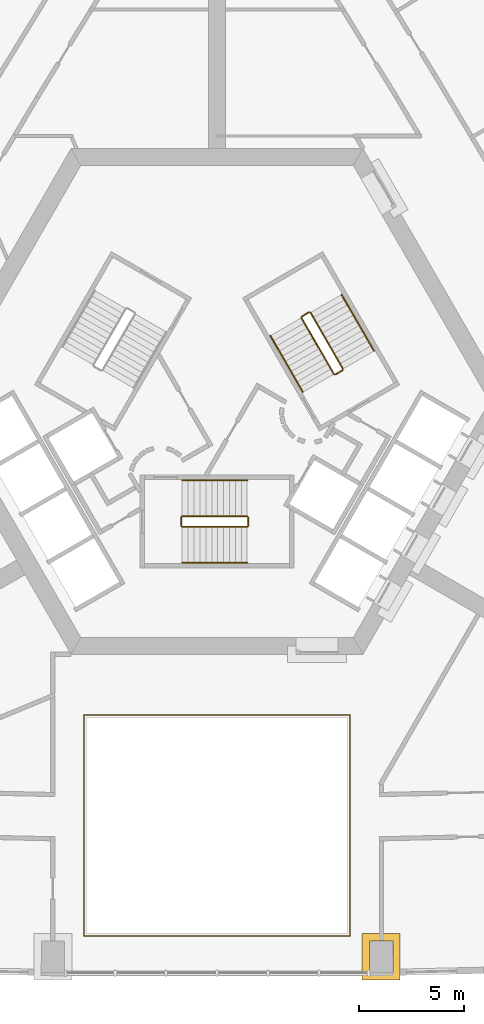
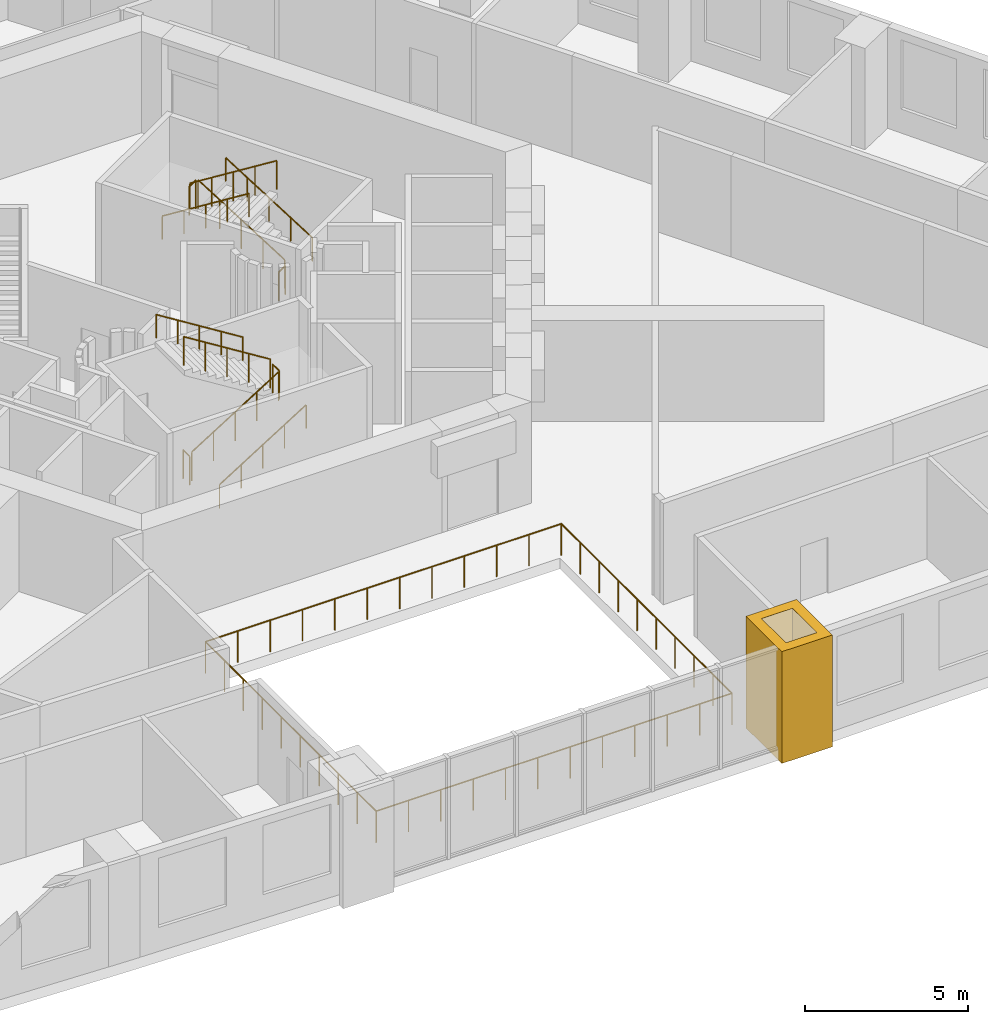
# One storey, part 13 of 14: 13 railings, 1 covering.
"""IFC4 building model written with IfcOpenShell, lengths in metres."""

from ifc_helpers import new_model, si_unit, direction, frame, origin, origin_2d, place, context, subcontext, project, spatial, polyline, circle, outline, extrude, material, type_object, element, save


model = new_model("IFC4")

# Units and contexts
model_context = context("Model", 3, precision=1e-05, world=origin(), true_north=direction((0.0, 1.0)))
body_context = subcontext(model_context, "Body", "Model", "MODEL_VIEW")
ifc_project = project(units=[si_unit("LENGTHUNIT", "METRE"), si_unit("AREAUNIT", "SQUARE_METRE"), si_unit("VOLUMEUNIT", "CUBIC_METRE"), si_unit("PLANEANGLEUNIT", "RADIAN"), si_unit("MASSUNIT", "GRAM", prefix="KILO")], contexts=[model_context])

# Site, building, storey
site_placement = place(None, origin())
site = spatial("IfcSite", under=ifc_project, at=site_placement, CompositionType="ELEMENT")
building_placement = place(site_placement, origin())
building = spatial("IfcBuilding", under=site, at=building_placement, Name="Entoto Arch Interchange Tower", CompositionType="ELEMENT")
storey_placement = place(building_placement, frame((0.0, 0.0, 159.199951171875)))
storey = spatial("IfcBuildingStorey", under=building, at=storey_placement, Name="L35", CompositionType="ELEMENT", Elevation=159.199951171875)

# Railing
ifc_material_1 = material(Name="Stainless steel 1.4301", Category="steel")
railing_type_1 = type_object("IfcRailingType", Name="ATRIUM GUARD 1200 STEEL AND GLASS", PredefinedType="GUARDRAIL", material=ifc_material_1)
railing_1_placement = place(storey_placement, frame((6.320068359375, -22.876953125, 0.0)))
element("IfcRailing", 1, at=railing_1_placement, inside=storey, type_object=railing_type_1, Name="Atrium guard L35", PredefinedType="GUARDRAIL", context=body_context, shape_type="SweptSolid", body=[
    extrude(circle(Radius=0.02392578125, at=origin_2d()), frame((0.0, 0.0, 1.17578125), z_axis=(-1.0, 0.0, 0.0), x_axis=(0.0, -1.0, 0.0)), (0.0, 0.0, 1.0), 12.64013671875),
    extrude(circle(Radius=0.02392578125, at=origin_2d()), frame((-12.64013671875, 0.0, 1.17578125), z_axis=(0.0, 1.0, 0.0), x_axis=(-1.0, 0.0, 0.0)), (0.0, 0.0, 1.0), 10.4970703125),
    extrude(circle(Radius=0.02392578125, at=origin_2d()), frame((-12.64013671875, 10.4970703125, 1.17578125), z_axis=(1.0, 0.0, 0.0), x_axis=(0.0, 1.0, 0.0)), (0.0, 0.0, 1.0), 12.64013671875),
    extrude(circle(Radius=0.02392578125, at=origin_2d()), frame((0.0, 10.4970703125, 1.17578125), z_axis=(0.0, -1.0, 0.0), x_axis=(1.0, 0.0, 0.0)), (0.0, 0.0, 1.0), 10.4970703125),
    extrude(circle(Radius=0.02099609375, at=origin_2d()), origin(), (0.0, 0.0, 1.0), 1.15185546875),
    extrude(circle(Radius=0.02099609375, at=origin_2d()), frame((-1.149169921875, 0.0, 0.0)), (0.0, 0.0, 1.0), 1.15185546875),
    extrude(circle(Radius=0.02099609375, at=origin_2d()), frame((-2.298095703125, 0.0, 0.0)), (0.0, 0.0, 1.0), 1.15185546875),
    extrude(circle(Radius=0.02099609375, at=origin_2d()), frame((-3.447265625, 0.0, 0.0)), (0.0, 0.0, 1.0), 1.15185546875),
    extrude(circle(Radius=0.02099609375, at=origin_2d()), frame((-4.596435546875, 0.0, 0.0)), (0.0, 0.0, 1.0), 1.15185546875),
    extrude(circle(Radius=0.02099609375, at=origin_2d()), frame((-5.74560546875, 0.0, 0.0)), (0.0, 0.0, 1.0), 1.15185546875),
    extrude(circle(Radius=0.02099609375, at=origin_2d()), frame((-6.89453125, 0.0, 0.0)), (0.0, 0.0, 1.0), 1.15185546875),
    extrude(circle(Radius=0.02099609375, at=origin_2d()), frame((-8.043701171875, 0.0, 0.0)), (0.0, 0.0, 1.0), 1.15185546875),
    extrude(circle(Radius=0.02099609375, at=origin_2d()), frame((-9.19287109375, 0.0, 0.0)), (0.0, 0.0, 1.0), 1.15185546875),
    extrude(circle(Radius=0.02099609375, at=origin_2d()), frame((-10.342041015625, 0.0, 0.0)), (0.0, 0.0, 1.0), 1.15185546875),
    extrude(circle(Radius=0.02099609375, at=origin_2d()), frame((-11.490966796875, 0.0, 0.0)), (0.0, 0.0, 1.0), 1.15185546875),
    extrude(circle(Radius=0.02099609375, at=origin_2d()), frame((-12.64013671875, 0.0, 0.0)), (0.0, 0.0, 1.0), 1.15185546875),
    extrude(circle(Radius=0.02099609375, at=origin_2d()), frame((-12.64013671875, 1.166259765625, 0.0)), (0.0, 0.0, 1.0), 1.15185546875),
    extrude(circle(Radius=0.02099609375, at=origin_2d()), frame((-12.64013671875, 2.332763671875, 0.0)), (0.0, 0.0, 1.0), 1.15185546875),
    extrude(circle(Radius=0.02099609375, at=origin_2d()), frame((-12.64013671875, 3.4990234375, 0.0)), (0.0, 0.0, 1.0), 1.15185546875),
    extrude(circle(Radius=0.02099609375, at=origin_2d()), frame((-12.64013671875, 4.665283203125, 0.0)), (0.0, 0.0, 1.0), 1.15185546875),
    extrude(circle(Radius=0.02099609375, at=origin_2d()), frame((-12.64013671875, 5.831787109375, 0.0)), (0.0, 0.0, 1.0), 1.15185546875),
    extrude(circle(Radius=0.02099609375, at=origin_2d()), frame((-12.64013671875, 6.998046875, 0.0)), (0.0, 0.0, 1.0), 1.15185546875),
    extrude(circle(Radius=0.02099609375, at=origin_2d()), frame((-12.64013671875, 8.164306640625, 0.0)), (0.0, 0.0, 1.0), 1.15185546875),
    extrude(circle(Radius=0.02099609375, at=origin_2d()), frame((-12.64013671875, 9.330810546875, 0.0)), (0.0, 0.0, 1.0), 1.15185546875),
    extrude(circle(Radius=0.02099609375, at=origin_2d()), frame((-12.64013671875, 10.4970703125, 0.0)), (0.0, 0.0, 1.0), 1.15185546875),
    extrude(circle(Radius=0.02099609375, at=origin_2d()), frame((-11.490966796875, 10.4970703125, 0.0)), (0.0, 0.0, 1.0), 1.15185546875),
    extrude(circle(Radius=0.02099609375, at=origin_2d()), frame((-10.342041015625, 10.4970703125, 0.0)), (0.0, 0.0, 1.0), 1.15185546875),
    extrude(circle(Radius=0.02099609375, at=origin_2d()), frame((-9.19287109375, 10.4970703125, 0.0)), (0.0, 0.0, 1.0), 1.15185546875),
    extrude(circle(Radius=0.02099609375, at=origin_2d()), frame((-8.043701171875, 10.4970703125, 0.0)), (0.0, 0.0, 1.0), 1.15185546875),
    extrude(circle(Radius=0.02099609375, at=origin_2d()), frame((-6.89453125, 10.4970703125, 0.0)), (0.0, 0.0, 1.0), 1.15185546875),
    extrude(circle(Radius=0.02099609375, at=origin_2d()), frame((-5.74560546875, 10.4970703125, 0.0)), (0.0, 0.0, 1.0), 1.15185546875),
    extrude(circle(Radius=0.02099609375, at=origin_2d()), frame((-4.596435546875, 10.4970703125, 0.0)), (0.0, 0.0, 1.0), 1.15185546875),
    extrude(circle(Radius=0.02099609375, at=origin_2d()), frame((-3.447265625, 10.4970703125, 0.0)), (0.0, 0.0, 1.0), 1.15185546875),
    extrude(circle(Radius=0.02099609375, at=origin_2d()), frame((-2.298095703125, 10.4970703125, 0.0)), (0.0, 0.0, 1.0), 1.15185546875),
    extrude(circle(Radius=0.02099609375, at=origin_2d()), frame((-1.149169921875, 10.4970703125, 0.0)), (0.0, 0.0, 1.0), 1.15185546875),
    extrude(circle(Radius=0.02099609375, at=origin_2d()), frame((0.0, 10.4970703125, 0.0)), (0.0, 0.0, 1.0), 1.15185546875),
    extrude(circle(Radius=0.02099609375, at=origin_2d()), frame((0.0, 9.330810546875, 0.0)), (0.0, 0.0, 1.0), 1.15185546875),
    extrude(circle(Radius=0.02099609375, at=origin_2d()), frame((0.0, 8.164306640625, 0.0)), (0.0, 0.0, 1.0), 1.15185546875),
    extrude(circle(Radius=0.02099609375, at=origin_2d()), frame((0.0, 6.998046875, 0.0)), (0.0, 0.0, 1.0), 1.15185546875),
    extrude(circle(Radius=0.02099609375, at=origin_2d()), frame((0.0, 5.831787109375, 0.0)), (0.0, 0.0, 1.0), 1.15185546875),
    extrude(circle(Radius=0.02099609375, at=origin_2d()), frame((0.0, 4.665283203125, 0.0)), (0.0, 0.0, 1.0), 1.15185546875),
    extrude(circle(Radius=0.02099609375, at=origin_2d()), frame((0.0, 3.4990234375, 0.0)), (0.0, 0.0, 1.0), 1.15185546875),
    extrude(circle(Radius=0.02099609375, at=origin_2d()), frame((0.0, 2.332763671875, 0.0)), (0.0, 0.0, 1.0), 1.15185546875),
    extrude(circle(Radius=0.02099609375, at=origin_2d()), frame((0.0, 1.166259765625, 0.0)), (0.0, 0.0, 1.0), 1.15185546875),
])

# Covering
ifc_material_2 = material(Name="Board-marked precast concrete C50/60", Category="concrete")
covering_type = type_object("IfcCoveringType", Name="PRECAST FRAME COURSE", PredefinedType="CLADDING", material=ifc_material_2)
covering_placement = place(storey_placement, frame((0.0, 0.0, -0.39990234375)))
element("IfcCovering", 2, at=covering_placement, inside=storey, type_object=covering_type, Name="Gate pier L35", PredefinedType="CLADDING", context=body_context, shape_type="SweptSolid", body=[
    extrude(outline(polyline([(6.888916015625, -22.757080078125), (8.68896484375, -22.757080078125), (8.68896484375, -24.95703125), (6.888916015625, -24.95703125), (6.888916015625, -22.757080078125)]), holes=[polyline([(7.239013671875, -23.10693359375), (7.239013671875, -24.60693359375), (8.339111328125, -24.60693359375), (8.339111328125, -23.10693359375), (7.239013671875, -23.10693359375)])]), origin(), (0.0, 0.0, 1.0), 4.199951171875),
])

# Railings
railing_type_2 = type_object("IfcRailingType", Name="STAIR GUARD 1100 STEEL", PredefinedType="GUARDRAIL", material=ifc_material_1)
railing_2_placement = place(storey_placement, frame((-1.64990234375, -3.449951171875, 0.175048828125)))
element("IfcRailing", 3, at=railing_2_placement, inside=storey, type_object=railing_type_2, Name="L35 ST-S stair guard 1", PredefinedType="GUARDRAIL", context=body_context, shape_type="SweptSolid", body=[
    extrude(circle(Radius=0.02392578125, at=origin_2d()), frame((0.0, 0.0, 1.076171875), z_axis=(0.847979421464, 0.0, 0.530029150871), x_axis=(0.0, 1.0, 0.0)), (0.0, 0.0, 1.0), 3.632080078125),
    extrude(circle(Radius=0.02099609375, at=origin_2d()), origin(), (0.0, 0.0, 1.0), 1.052001953125),
    extrude(circle(Radius=0.02099609375, at=origin_2d()), frame((0.77001953125, 0.0, 0.481201171875)), (0.0, 0.0, 1.0), 1.052001953125),
    extrude(circle(Radius=0.02099609375, at=origin_2d()), frame((1.5400390625, 0.0, 0.96240234375)), (0.0, 0.0, 1.0), 1.052001953125),
    extrude(circle(Radius=0.02099609375, at=origin_2d()), frame((2.309814453125, 0.0, 1.44384765625)), (0.0, 0.0, 1.0), 1.052001953125),
    extrude(circle(Radius=0.02099609375, at=origin_2d()), frame((3.079833984375, 0.0, 1.925048828125)), (0.0, 0.0, 1.0), 1.052001953125),
])
railing_3_placement = place(storey_placement, frame((1.47998046875, -3.39990234375, 2.10009765625)))
element("IfcRailing", 4, at=railing_3_placement, inside=storey, type_object=railing_type_2, Name="L35 ST-S stair guard 2", PredefinedType="GUARDRAIL", context=body_context, shape_type="SweptSolid", body=[
    extrude(circle(Radius=0.02392578125, at=origin_2d()), frame((0.0, 0.0, 1.076171875), z_axis=(0.0, 1.0, 0.0), x_axis=(-1.0, 0.0, 0.0)), (0.0, 0.0, 1.0), 0.39990234375),
    extrude(circle(Radius=0.02099609375, at=origin_2d()), origin(), (0.0, 0.0, 1.0), 1.052001953125),
    extrude(circle(Radius=0.02099609375, at=origin_2d()), frame((0.0, 0.39990234375, 0.0)), (0.0, 0.0, 1.0), 1.052001953125),
])
railing_4_placement = place(storey_placement, frame((1.429931640625, -2.949951171875, 2.275146484375)))
element("IfcRailing", 5, at=railing_4_placement, inside=storey, type_object=railing_type_2, Name="L35 ST-S stair guard 3", PredefinedType="GUARDRAIL", context=body_context, shape_type="SweptSolid", body=[
    extrude(circle(Radius=0.02392578125, at=origin_2d()), frame((0.0, 0.0, 1.076171875), z_axis=(-0.848009633417, 0.0, 0.529980812513), x_axis=(0.0, -1.0, 0.0)), (0.0, 0.0, 1.0), 3.6318359375),
    extrude(circle(Radius=0.02099609375, at=origin_2d()), origin(), (0.0, 0.0, 1.0), 1.052001953125),
    extrude(circle(Radius=0.02099609375, at=origin_2d()), frame((-0.77001953125, 0.0, 0.481201171875)), (0.0, 0.0, 1.0), 1.052001953125),
    extrude(circle(Radius=0.02099609375, at=origin_2d()), frame((-1.5400390625, 0.0, 0.96240234375)), (0.0, 0.0, 1.0), 1.052001953125),
    extrude(circle(Radius=0.02099609375, at=origin_2d()), frame((-2.309814453125, 0.0, 1.443603515625)), (0.0, 0.0, 1.0), 1.052001953125),
    extrude(circle(Radius=0.02099609375, at=origin_2d()), frame((-3.079833984375, 0.0, 1.9248046875)), (0.0, 0.0, 1.0), 1.052001953125),
])
railing_5_placement = place(storey_placement, frame((-1.699951171875, -3.39990234375, 0.0)))
element("IfcRailing", 6, at=railing_5_placement, inside=storey, type_object=railing_type_2, Name="L35 ST-S stair guard 4", PredefinedType="GUARDRAIL", context=body_context, shape_type="SweptSolid", body=[
    extrude(circle(Radius=0.02392578125, at=origin_2d()), frame((0.0, 0.0, 1.076171875), z_axis=(0.0, 1.0, 0.0), x_axis=(-1.0, 0.0, 0.0)), (0.0, 0.0, 1.0), 0.39990234375),
    extrude(circle(Radius=0.02099609375, at=origin_2d()), origin(), (0.0, 0.0, 1.0), 1.052001953125),
    extrude(circle(Radius=0.02099609375, at=origin_2d()), frame((0.0, 0.39990234375, 0.0)), (0.0, 0.0, 1.0), 1.052001953125),
])
railing_6_placement = place(storey_placement, frame((5.977783203125, 4.046142578125, 0.175048828125)))
element("IfcRailing", 7, at=railing_6_placement, inside=storey, type_object=railing_type_2, Name="L35 ST-NE stair guard 1", PredefinedType="GUARDRAIL", context=body_context, shape_type="SweptSolid", body=[
    extrude(circle(Radius=0.02392578125, at=origin_2d()), frame((0.0, 0.0, 1.076171875), z_axis=(-0.424015404183, 0.734364028329, 0.530019255228), x_axis=(-0.866010015463, -0.500026652407, 0.0)), (0.0, 0.0, 1.0), 3.632080078125),
    extrude(circle(Radius=0.02099609375, at=origin_2d()), origin(), (0.0, 0.0, 1.0), 1.052001953125),
    extrude(circle(Radius=0.02099609375, at=origin_2d()), frame((-0.385009765625, 0.666748046875, 0.481201171875)), (0.0, 0.0, 1.0), 1.052001953125),
    extrude(circle(Radius=0.02099609375, at=origin_2d()), frame((-0.77001953125, 1.33349609375, 0.96240234375)), (0.0, 0.0, 1.0), 1.052001953125),
    extrude(circle(Radius=0.02099609375, at=origin_2d()), frame((-1.155029296875, 2.00048828125, 1.44384765625)), (0.0, 0.0, 1.0), 1.052001953125),
    extrude(circle(Radius=0.02099609375, at=origin_2d()), frame((-1.5400390625, 2.667236328125, 1.925048828125)), (0.0, 0.0, 1.0), 1.052001953125),
])
railing_7_placement = place(storey_placement, frame((4.36962890625, 6.731689453125, 2.10009765625)))
element("IfcRailing", 8, at=railing_7_placement, inside=storey, type_object=railing_type_2, Name="L35 ST-NE stair guard 2", PredefinedType="GUARDRAIL", context=body_context, shape_type="SweptSolid", body=[
    extrude(circle(Radius=0.02392578125, at=origin_2d()), frame((0.0, 0.0, 1.076171875), z_axis=(-0.866094119867, -0.499880961361, 0.0), x_axis=(0.499880961361, -0.866094119867, 0.0)), (0.0, 0.0, 1.0), 0.39990234375),
    extrude(circle(Radius=0.02099609375, at=origin_2d()), origin(), (0.0, 0.0, 1.0), 1.052001953125),
    extrude(circle(Radius=0.02099609375, at=origin_2d()), frame((-0.346435546875, -0.199951171875, 0.0)), (0.0, 0.0, 1.0), 1.052001953125),
])
railing_8_placement = place(storey_placement, frame((4.0048828125, 6.46337890625, 2.275146484375)))
element("IfcRailing", 9, at=railing_8_placement, inside=storey, type_object=railing_type_2, Name="L35 ST-NE stair guard 3", PredefinedType="GUARDRAIL", context=body_context, shape_type="SweptSolid", body=[
    extrude(circle(Radius=0.02392578125, at=origin_2d()), frame((0.0, 0.0, 1.076171875), z_axis=(0.42403051051, -0.734390191396, 0.529970917068), x_axis=(0.866010015463, 0.500026652407, 0.0)), (0.0, 0.0, 1.0), 3.6318359375),
    extrude(circle(Radius=0.02099609375, at=origin_2d()), origin(), (0.0, 0.0, 1.0), 1.052001953125),
    extrude(circle(Radius=0.02099609375, at=origin_2d()), frame((0.385009765625, -0.666748046875, 0.481201171875)), (0.0, 0.0, 1.0), 1.052001953125),
    extrude(circle(Radius=0.02099609375, at=origin_2d()), frame((0.77001953125, -1.33349609375, 0.96240234375)), (0.0, 0.0, 1.0), 1.052001953125),
    extrude(circle(Radius=0.02099609375, at=origin_2d()), frame((1.155029296875, -2.00048828125, 1.443603515625)), (0.0, 0.0, 1.0), 1.052001953125),
    extrude(circle(Radius=0.02099609375, at=origin_2d()), frame((1.5400390625, -2.667236328125, 1.9248046875)), (0.0, 0.0, 1.0), 1.052001953125),
])
railing_9_placement = place(storey_placement, frame((5.95947265625, 3.977783203125, 0.0)))
element("IfcRailing", 10, at=railing_9_placement, inside=storey, type_object=railing_type_2, Name="L35 ST-NE stair guard 4", PredefinedType="GUARDRAIL", context=body_context, shape_type="SweptSolid", body=[
    extrude(circle(Radius=0.02392578125, at=origin_2d()), frame((0.0, 0.0, 1.076171875), z_axis=(-0.866094119867, -0.499880961361, 0.0), x_axis=(0.499880961361, -0.866094119867, 0.0)), (0.0, 0.0, 1.0), 0.39990234375),
    extrude(circle(Radius=0.02099609375, at=origin_2d()), origin(), (0.0, 0.0, 1.0), 1.052001953125),
    extrude(circle(Radius=0.02099609375, at=origin_2d()), frame((-0.346435546875, -0.199951171875, 0.0)), (0.0, 0.0, 1.0), 1.052001953125),
])
railing_type_3 = type_object("IfcRailingType", Name="STAIR HANDRAIL 900 STEEL", PredefinedType="HANDRAIL", material=ifc_material_1)
railing_10_placement = place(storey_placement, frame((-1.64990234375, -5.14990234375, 0.175048828125)))
element("IfcRailing", 11, at=railing_10_placement, inside=storey, type_object=railing_type_3, Name="L35 ST-S stair handrail 1", PredefinedType="HANDRAIL", context=body_context, shape_type="SweptSolid", body=[
    extrude(circle(Radius=0.02392578125, at=origin_2d()), frame((0.0, 0.0, 0.8759765625), z_axis=(0.847979421464, 0.0, 0.530029150871), x_axis=(0.0, 1.0, 0.0)), (0.0, 0.0, 1.0), 3.632080078125),
    extrude(circle(Radius=0.02099609375, at=origin_2d()), origin(), (0.0, 0.0, 1.0), 0.851806640625),
    extrude(circle(Radius=0.02099609375, at=origin_2d()), frame((0.77001953125, 0.0, 0.481201171875)), (0.0, 0.0, 1.0), 0.851806640625),
    extrude(circle(Radius=0.02099609375, at=origin_2d()), frame((1.5400390625, 0.0, 0.96240234375)), (0.0, 0.0, 1.0), 0.851806640625),
    extrude(circle(Radius=0.02099609375, at=origin_2d()), frame((2.309814453125, 0.0, 1.44384765625)), (0.0, 0.0, 1.0), 0.851806640625),
    extrude(circle(Radius=0.02099609375, at=origin_2d()), frame((3.079833984375, 0.0, 1.925048828125)), (0.0, 0.0, 1.0), 0.851806640625),
])
railing_11_placement = place(storey_placement, frame((1.429931640625, -1.25, 2.275146484375)))
element("IfcRailing", 12, at=railing_11_placement, inside=storey, type_object=railing_type_3, Name="L35 ST-S stair handrail 2", PredefinedType="HANDRAIL", context=body_context, shape_type="SweptSolid", body=[
    extrude(circle(Radius=0.02392578125, at=origin_2d()), frame((0.0, 0.0, 0.8759765625), z_axis=(-0.848009633417, 0.0, 0.529980812513), x_axis=(0.0, -1.0, 0.0)), (0.0, 0.0, 1.0), 3.6318359375),
    extrude(circle(Radius=0.02099609375, at=origin_2d()), origin(), (0.0, 0.0, 1.0), 0.851806640625),
    extrude(circle(Radius=0.02099609375, at=origin_2d()), frame((-0.77001953125, 0.0, 0.481201171875)), (0.0, 0.0, 1.0), 0.851806640625),
    extrude(circle(Radius=0.02099609375, at=origin_2d()), frame((-1.5400390625, 0.0, 0.96240234375)), (0.0, 0.0, 1.0), 0.851806640625),
    extrude(circle(Radius=0.02099609375, at=origin_2d()), frame((-2.309814453125, 0.0, 1.443603515625)), (0.0, 0.0, 1.0), 0.851806640625),
    extrude(circle(Radius=0.02099609375, at=origin_2d()), frame((-3.079833984375, 0.0, 1.9248046875)), (0.0, 0.0, 1.0), 0.851806640625),
])
railing_12_placement = place(storey_placement, frame((7.4501953125, 4.89599609375, 0.175048828125)))
element("IfcRailing", 13, at=railing_12_placement, inside=storey, type_object=railing_type_3, Name="L35 ST-NE stair handrail 1", PredefinedType="HANDRAIL", context=body_context, shape_type="SweptSolid", body=[
    extrude(circle(Radius=0.02392578125, at=origin_2d()), frame((0.0, 0.0, 0.8759765625), z_axis=(-0.423994474112, 0.734394994316, 0.52999309264), x_axis=(-0.866029832698, -0.499992328818, 0.0)), (0.0, 0.0, 1.0), 3.63232421875),
    extrude(circle(Radius=0.02099609375, at=origin_2d()), origin(), (0.0, 0.0, 1.0), 0.851806640625),
    extrude(circle(Radius=0.02099609375, at=origin_2d()), frame((-0.385009765625, 0.6669921875, 0.481201171875)), (0.0, 0.0, 1.0), 0.851806640625),
    extrude(circle(Radius=0.02099609375, at=origin_2d()), frame((-0.77001953125, 1.333740234375, 0.96240234375)), (0.0, 0.0, 1.0), 0.851806640625),
    extrude(circle(Radius=0.02099609375, at=origin_2d()), frame((-1.155029296875, 2.00048828125, 1.44384765625)), (0.0, 0.0, 1.0), 0.851806640625),
    extrude(circle(Radius=0.02099609375, at=origin_2d()), frame((-1.5400390625, 2.66748046875, 1.925048828125)), (0.0, 0.0, 1.0), 0.851806640625),
])
railing_13_placement = place(storey_placement, frame((2.53271484375, 5.613525390625, 2.275146484375)))
element("IfcRailing", 14, at=railing_13_placement, inside=storey, type_object=railing_type_3, Name="L35 ST-NE stair handrail 2", PredefinedType="HANDRAIL", context=body_context, shape_type="SweptSolid", body=[
    extrude(circle(Radius=0.02392578125, at=origin_2d()), frame((0.0, 0.0, 0.8759765625), z_axis=(0.423954442778, -0.734442086855, 0.52995985839), x_axis=(0.866064153644, 0.499932877268, 0.0)), (0.0, 0.0, 1.0), 3.632080078125),
    extrude(circle(Radius=0.02099609375, at=origin_2d()), origin(), (0.0, 0.0, 1.0), 0.851806640625),
    extrude(circle(Radius=0.02099609375, at=origin_2d()), frame((0.385009765625, -0.6669921875, 0.481201171875)), (0.0, 0.0, 1.0), 0.851806640625),
    extrude(circle(Radius=0.02099609375, at=origin_2d()), frame((0.77001953125, -1.333740234375, 0.96240234375)), (0.0, 0.0, 1.0), 0.851806640625),
    extrude(circle(Radius=0.02099609375, at=origin_2d()), frame((1.15478515625, -2.00048828125, 1.443603515625)), (0.0, 0.0, 1.0), 0.851806640625),
    extrude(circle(Radius=0.02099609375, at=origin_2d()), frame((1.539794921875, -2.66748046875, 1.9248046875)), (0.0, 0.0, 1.0), 0.851806640625),
])

save(model, "model.ifc")
